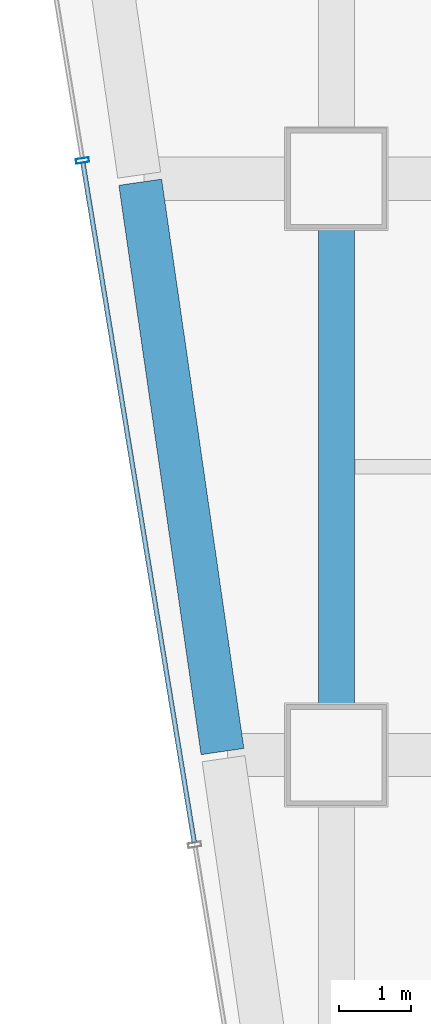
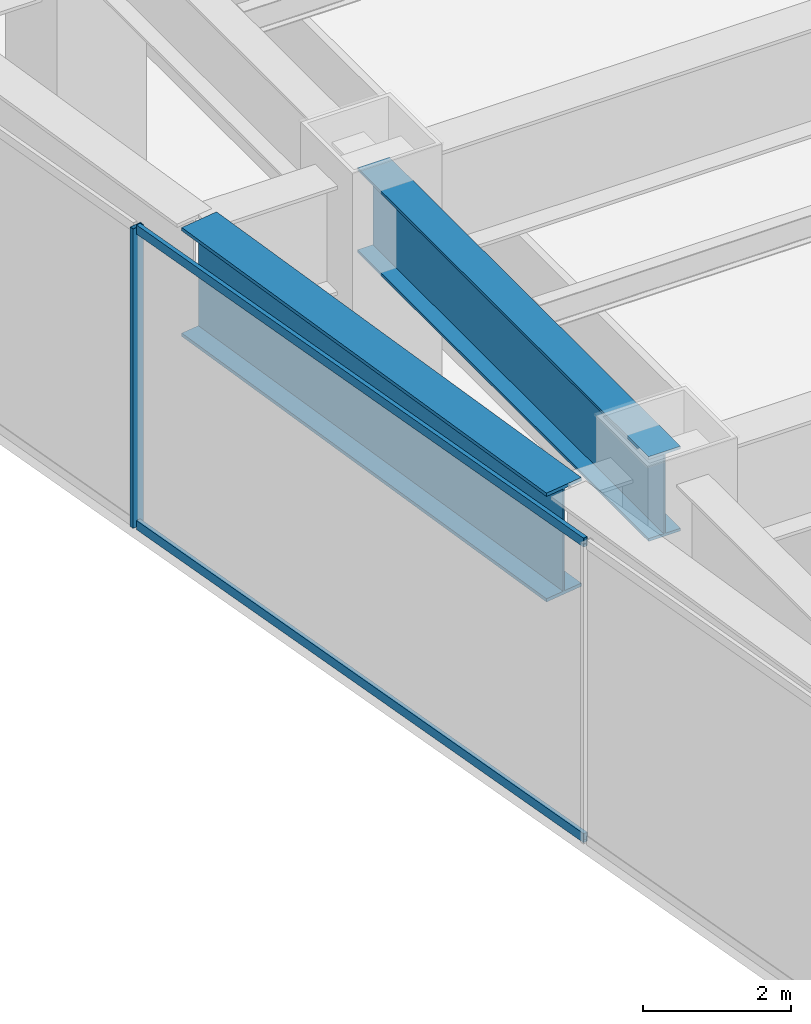
# One storey, part 11 of 42: 3 members, 2 beams, 1 element without a shape of its own.
"""IFC4 building model written with IfcOpenShell, lengths in metres."""

from ifc_helpers import new_model, si_unit, direction, frame, origin, origin_2d, place, context, subcontext, project, spatial, hollow_rectangle, i_section, extrude, material, material_profile, profile_set, type_object, element, aggregate, save


model = new_model("IFC4")

# Units and contexts
model_context = context("Model", 3, precision=1e-05, world=origin(), true_north=direction((0.0, 1.0)))
body_context = subcontext(model_context, "Body", "Model", "MODEL_VIEW")
ifc_project = project(units=[si_unit("LENGTHUNIT", "METRE"), si_unit("AREAUNIT", "SQUARE_METRE"), si_unit("VOLUMEUNIT", "CUBIC_METRE"), si_unit("PLANEANGLEUNIT", "RADIAN"), si_unit("MASSUNIT", "GRAM", prefix="KILO")], contexts=[model_context])

# Site, building, storey
site_placement = place(None, origin())
site = spatial("IfcSite", under=ifc_project, at=site_placement, CompositionType="ELEMENT")
building_placement = place(site_placement, origin())
building = spatial("IfcBuilding", under=site, at=building_placement, Name="Saevonmaru Cultural Tower", CompositionType="ELEMENT")
storey_placement = place(building_placement, frame((0.0, 0.0, 33.0)))
storey = spatial("IfcBuildingStorey", under=building, at=storey_placement, Name="L06", CompositionType="ELEMENT", Elevation=33.0)

# Beams
ifc_material_1 = material(Name="Steel HSA600 (600 MPa)", Category="steel")
ifc_material_profile_1 = material_profile(ifc_material_1, i_section(OverallWidth=0.5, OverallDepth=1.39990234375, WebThickness=0.02392578125, FlangeThickness=0.044921875, at=origin_2d()), Name="PG-1400x500x24x45")
ifc_profile_set_1 = profile_set([ifc_material_profile_1], Name="Steel HSA600 (600 MPa)")
beam_type_1 = type_object("IfcBeamType", Name="BM-TG-PG1400", PredefinedType="BEAM", material=ifc_profile_set_1)
beam_1_placement = place(storey_placement, frame((12.199951171875, 16.06005859375, 4.25), z_axis=(0.0, 1.0, 0.0), x_axis=(-1.0, 0.0, 0.0)))
element("IfcBeam", 1, at=beam_1_placement, inside=storey, type_object=beam_type_1, Name="L06 Podium Girder NS1-3", PredefinedType="BEAM", context=body_context, shape_type="SweptSolid", body=[
    extrude(i_section(OverallWidth=0.5, OverallDepth=1.39990234375, WebThickness=0.02392578125, FlangeThickness=0.044921875, at=origin_2d()), origin(), (0.0, 0.0, 1.0), 7.8798828125),
])
ifc_material_profile_2 = material_profile(ifc_material_1, i_section(OverallWidth=0.60009765625, OverallDepth=1.800048828125, WebThickness=0.028076171875, FlangeThickness=0.054931640625, at=origin_2d()), Name="PG-1800x600x28x55")
ifc_profile_set_2 = profile_set([ifc_material_profile_2], Name="Steel HSA600 (600 MPa)")
beam_type_2 = type_object("IfcBeamType", Name="BM-TG-PG1800-EXT", PredefinedType="SPANDREL", material=ifc_profile_set_2)
beam_2_placement = place(storey_placement, frame((10.620849609375, 16.049560546875, 4.050048828125), z_axis=(-0.14300536634, 0.989721913063, 0.0), x_axis=(-0.989721913063, -0.14300536634, 0.0)))
element("IfcBeam", 2, at=beam_2_placement, inside=storey, type_object=beam_type_2, Name="L06 Perimeter Transfer Spandrel W-3", PredefinedType="SPANDREL", context=body_context, shape_type="SweptSolid", body=[
    extrude(i_section(OverallWidth=0.60009765625, OverallDepth=1.800048828125, WebThickness=0.028076171875, FlangeThickness=0.054931640625, at=origin_2d()), origin(), (0.0, 0.0, 1.0), 7.98291015625),
])

# Curtain wall, members
ifc_material_2 = material(Name="Satin Bronze Anodised Aluminium", Category="aluminium")
curtain_wall_type = type_object("IfcCurtainWallType", Name="CW-SKY-GLZ", PredefinedType="NOTDEFINED", material=ifc_material_2)
curtain_wall_placement = place(storey_placement, origin())
curtain_wall = element("IfcCurtainWall", 3, at=curtain_wall_placement, inside=storey, type_object=curtain_wall_type, Name="L06 Unitised Curtain Wall E12", PredefinedType="NOTDEFINED")
ifc_material_profile_3 = material_profile(ifc_material_2, hollow_rectangle(XDim=0.06494140625, YDim=0.179931640625, WallThickness=0.00390625, at=origin_2d()), Name="ALU-MULL-180x65x4")
ifc_profile_set_3 = profile_set([ifc_material_profile_3], Name="Satin Bronze Anodised Aluminium")
member_type_1 = type_object("IfcMemberType", Name="ML-CW-180x65", PredefinedType="MULLION", material=ifc_profile_set_3)
member_1_placement = place(storey_placement, frame((8.677978515625, 24.251953125, 0.0), z_axis=(0.0, 0.0, 1.0), x_axis=(0.161708868641, -0.986838508472, 0.0)))
member_1 = element("IfcMember", 4, at=member_1_placement, type_object=member_type_1, Name="CW-TW-L06-E12 mullion 4", PredefinedType="MULLION", context=body_context, shape_type="SweptSolid", body=[
    extrude(hollow_rectangle(XDim=0.06494140625, YDim=0.179931640625, WallThickness=0.00390625, at=origin_2d()), origin(), (0.0, 0.0, 1.0), 4.949951171875),
])
ifc_material_profile_4 = material_profile(ifc_material_2, hollow_rectangle(XDim=0.06494140625, YDim=0.14990234375, WallThickness=0.00390625, at=origin_2d()), Name="ALU-TRAN-150x65x4")
ifc_profile_set_4 = profile_set([ifc_material_profile_4], Name="Satin Bronze Anodised Aluminium")
member_type_2 = type_object("IfcMemberType", Name="TR-CW-150x65", PredefinedType="USERDEFINED", material=ifc_profile_set_4)
member_2_placement = place(storey_placement, frame((8.683349609375, 24.2197265625, 0.032470703125), z_axis=(0.161714267134, -0.986837623829, 0.0), x_axis=(0.986837623829, 0.161714267134, 0.0)))
member_2 = element("IfcMember", 5, at=member_2_placement, type_object=member_type_2, Name="CW-TW-L06-E12 transom 4.1", ObjectType="TRANSOM", PredefinedType="USERDEFINED", context=body_context, shape_type="SweptSolid", body=[
    extrude(hollow_rectangle(XDim=0.06494140625, YDim=0.14990234375, WallThickness=0.00390625, at=origin_2d()), origin(), (0.0, 0.0, 1.0), 9.557861328125),
])
member_3_placement = place(storey_placement, frame((8.683349609375, 24.2197265625, 4.91748046875), z_axis=(0.161714267134, -0.986837623829, 0.0), x_axis=(0.986837623829, 0.161714267134, 0.0)))
member_3 = element("IfcMember", 6, at=member_3_placement, type_object=member_type_2, Name="CW-TW-L06-E12 transom 4.2", ObjectType="TRANSOM", PredefinedType="USERDEFINED", context=body_context, shape_type="SweptSolid", body=[
    extrude(hollow_rectangle(XDim=0.06494140625, YDim=0.14990234375, WallThickness=0.00390625, at=origin_2d()), origin(), (0.0, 0.0, 1.0), 9.557861328125),
])
aggregate(curtain_wall, [member_1, member_2, member_3])

save(model, "model.ifc")
